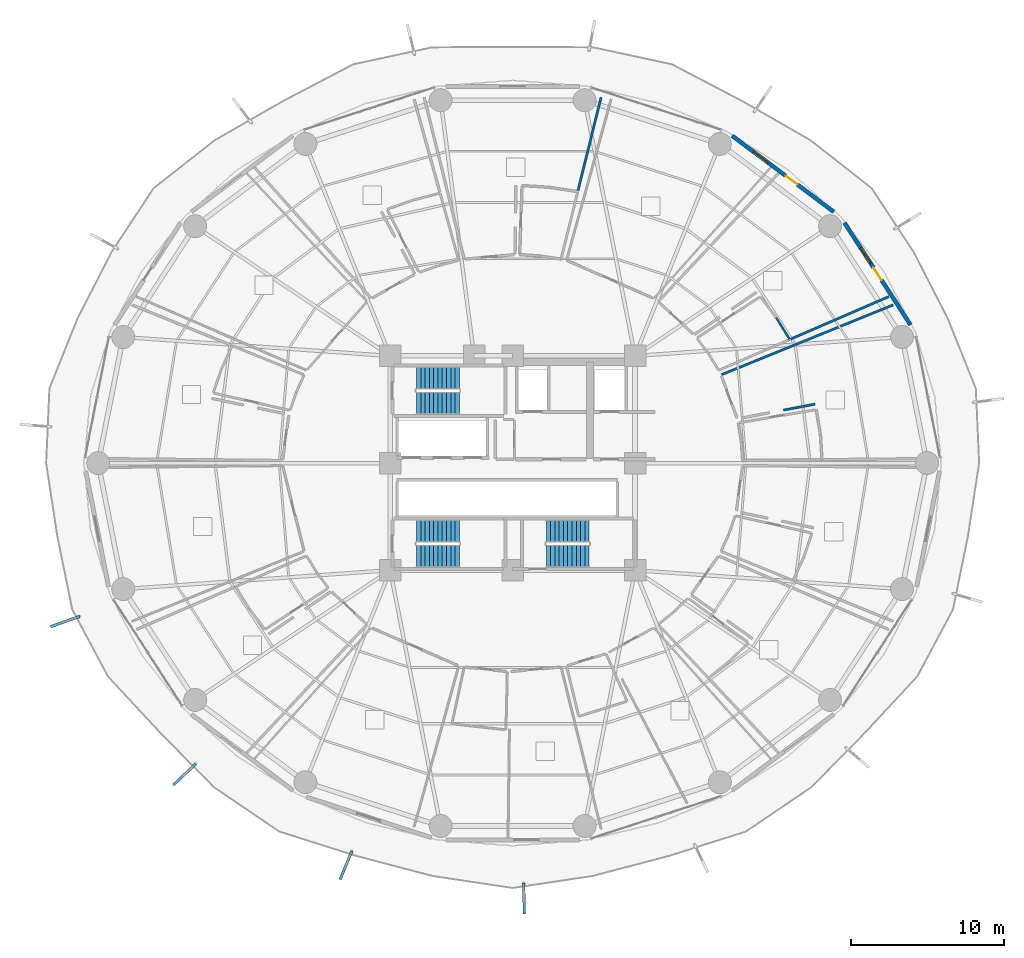
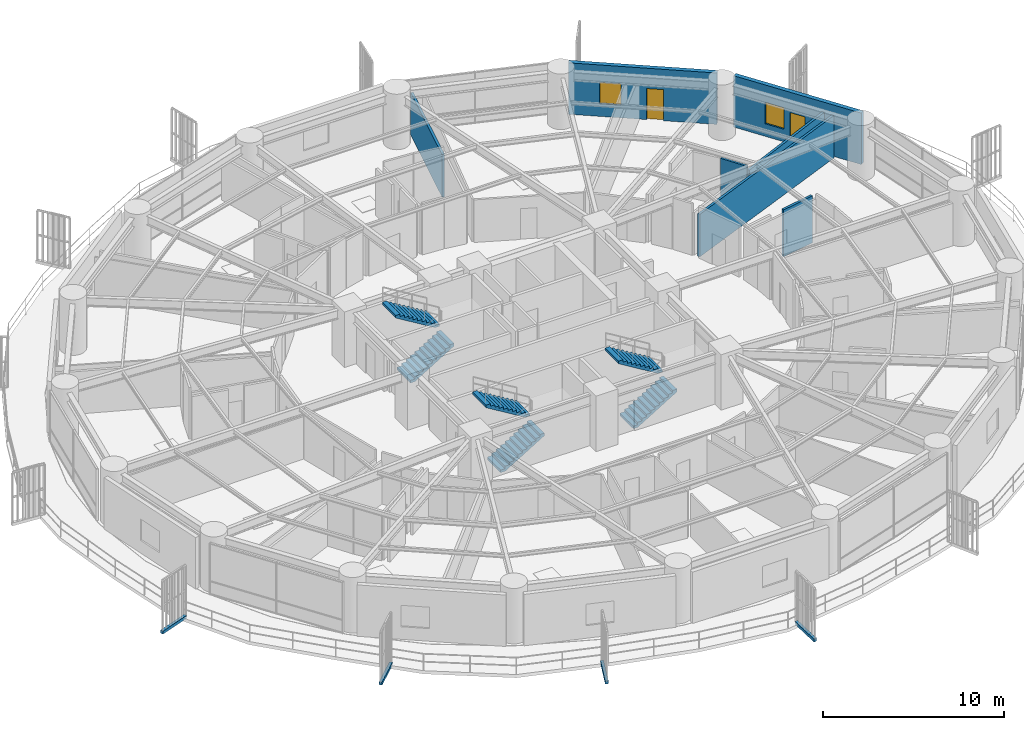
# One storey, part 28 of 34: 7 walls, 6 stair flights, 4 discrete accessories, 2 doors, 2 windows, 4 openings, 3 elements without a shape of their own.
"""IFC4 building model written with IfcOpenShell, lengths in metres."""

import ifcopenshell
import ifcopenshell.guid

model = None  # the IFC model being written
_history = None  # IfcOwnerHistory: only IFC2X3 demands one
_inside = {}  # id of a spatial element -> (the spatial element, [elements in it])
_under = {}  # id of a project, library or spatial element -> (it, [spatial elements below it])
_declared = {}  # id of a project -> (the project, [libraries it declares])
_typed = {}  # id of a type object -> (the type object, [elements of that type])
_made_of = {}  # id of a material, layer set ... -> (it, [elements and type objects made of it])


def new_model(schema):
    """Start an empty IFC model of exactly this schema.

    Asked for "IFC4X3", IfcOpenShell would pick the latest addendum, in which some entities
    have other attributes; the version numbers below select the first issue.
    IFC2X3 requires an IfcOwnerHistory on every rooted entity: one is made here for all.
    """
    global model, _history
    if schema == "IFC4X3":
        model = ifcopenshell.file(schema_version=(4, 3, 0, 0))
    else:
        model = ifcopenshell.file(schema=schema)
    _inside.clear()
    _under.clear()
    _declared.clear()
    _typed.clear()
    _made_of.clear()
    _history = None
    if model.schema == "IFC2X3":
        org = make("IfcOrganization", Name="unknown")
        user = make(
            "IfcPersonAndOrganization",
            ThePerson=make("IfcPerson", FamilyName="unknown"),
            TheOrganization=org,
        )
        app = make(
            "IfcApplication",
            ApplicationDeveloper=org,
            Version="unknown",
            ApplicationFullName="unknown",
            ApplicationIdentifier="unknown",
        )
        _history = make(
            "IfcOwnerHistory",
            OwningUser=user,
            OwningApplication=app,
            ChangeAction="ADDED",
            CreationDate=0,
        )
    return model


def make(cls, **values):
    """One entity of the class cls with the attributes given. An attribute that is None is left unset."""
    return model.create_entity(
        cls, **{name: value for name, value in values.items() if value is not None}
    )


def rooted(cls, **values):
    """An entity with a GlobalId (a new one), such as an element, a storey or a relation."""
    return make(cls, GlobalId=ifcopenshell.guid.new(), OwnerHistory=_history, **values)


def si_unit(unit_type, name, prefix=None):
    """IfcSIUnit, for example si_unit("LENGTHUNIT", "METRE", prefix="MILLI")."""
    return make("IfcSIUnit", UnitType=unit_type, Prefix=prefix, Name=name)


def assignment(units):
    """IfcUnitAssignment: the units of a project."""
    return None if units is None else make("IfcUnitAssignment", Units=units)


def point(xyz):
    """IfcCartesianPoint."""
    return None if xyz is None else make("IfcCartesianPoint", Coordinates=xyz)


def direction(xyz):
    """IfcDirection."""
    return None if xyz is None else make("IfcDirection", DirectionRatios=xyz)


def frame(location, z_axis=None, x_axis=None):
    """IfcAxis2Placement3D, a coordinate frame: its origin and axes. An axis left out is left unset."""
    return make(
        "IfcAxis2Placement3D",
        Location=point(location),
        Axis=direction(z_axis),
        RefDirection=direction(x_axis),
    )


def frame_2d(location, x_axis=None):
    """IfcAxis2Placement2D, a coordinate frame in the plane: its origin and x axis."""
    return make(
        "IfcAxis2Placement2D", Location=point(location), RefDirection=direction(x_axis)
    )


def origin():
    """The frame at (0, 0, 0) with its axes left unset."""
    return frame((0.0, 0.0, 0.0))


def origin_2d():
    """The frame at (0, 0) in the plane with its x axis left unset."""
    return frame_2d((0.0, 0.0))


def place(relative_to, where):
    """IfcLocalPlacement: puts the frame where relative to a parent placement (None: the world)."""
    return make(
        "IfcLocalPlacement", PlacementRelTo=relative_to, RelativePlacement=where
    )


def context(
    kind, dimensions, precision=None, world=None, true_north=None, identifier=None
):
    """IfcGeometricRepresentationContext, for example the 3D "Model" context."""
    return make(
        "IfcGeometricRepresentationContext",
        ContextIdentifier=identifier,
        ContextType=kind,
        CoordinateSpaceDimension=dimensions,
        Precision=precision,
        WorldCoordinateSystem=world,
        TrueNorth=true_north,
    )


def subcontext(parent, identifier, kind, view, scale=None):
    """IfcGeometricRepresentationSubContext, for example "Body" below "Model"."""
    return make(
        "IfcGeometricRepresentationSubContext",
        ContextIdentifier=identifier,
        ContextType=kind,
        ParentContext=parent,
        TargetScale=scale,
        TargetView=view,
    )


def project(units=None, contexts=None):
    """IfcProject with its units and contexts."""
    return rooted(
        "IfcProject",
        Name="project",
        RepresentationContexts=contexts,
        UnitsInContext=assignment(units),
    )


def spatial(cls, under=None, at=None, **own):
    """A site, building, storey or space (cls), placed at a placement, below another one or the project."""
    s = rooted(cls, ObjectPlacement=at, **own)
    if under is not None:
        _under.setdefault(under.id(), (under, []))[1].append(s)
    return s


def polyline(points):
    """IfcPolyline through the points."""
    return make("IfcPolyline", Points=[point(p) for p in points])


def profile(cls, at=None, kind="AREA", **sizes):
    """A parametric profile (cls). Its sizes go by their IFC names, for example OverallWidth=200.0."""
    return make(cls, ProfileType=kind, Position=at, **sizes)


def rectangle(**sizes):
    """IfcRectangleProfileDef."""
    return profile("IfcRectangleProfileDef", **sizes)


def outline(outer, holes=None, kind="AREA"):
    """IfcArbitraryClosedProfileDef: a profile drawn as a closed curve; with holes, ...WithVoids."""
    if holes is None:
        return make("IfcArbitraryClosedProfileDef", ProfileType=kind, OuterCurve=outer)
    return make(
        "IfcArbitraryProfileDefWithVoids",
        ProfileType=kind,
        OuterCurve=outer,
        InnerCurves=holes,
    )


def extrude(swept, where, along, depth):
    """IfcExtrudedAreaSolid: the profile swept, set in the frame where, extruded along a direction by depth."""
    return make(
        "IfcExtrudedAreaSolid",
        SweptArea=swept,
        Position=where,
        ExtrudedDirection=direction(along),
        Depth=depth,
    )


def shape(context_of_items, identifier, shape_type, items):
    """IfcShapeRepresentation: the items that make up one representation, for example the "Body"."""
    return make(
        "IfcShapeRepresentation",
        ContextOfItems=context_of_items,
        RepresentationIdentifier=identifier,
        RepresentationType=shape_type,
        Items=items,
    )


def source(mapping_origin, context_of_items, identifier, shape_type, items):
    """IfcRepresentationMap: a shape defined once, which mapped items show again and again."""
    return make(
        "IfcRepresentationMap",
        MappingOrigin=mapping_origin,
        MappedRepresentation=shape(context_of_items, identifier, shape_type, items),
    )


def transform(
    local_origin,
    x_axis=None,
    y_axis=None,
    z_axis=None,
    scale=None,
    scale2=None,
    scale3=None,
    uniform=True,
):
    """IfcCartesianTransformationOperator3D, or its non-uniform kind. x_axis, y_axis, z_axis: its Axis1, 2, 3."""
    if uniform:
        return make(
            "IfcCartesianTransformationOperator3D",
            Axis1=direction(x_axis),
            Axis2=direction(y_axis),
            LocalOrigin=point(local_origin),
            Scale=scale,
            Axis3=direction(z_axis),
        )
    return make(
        "IfcCartesianTransformationOperator3DnonUniform",
        Axis1=direction(x_axis),
        Axis2=direction(y_axis),
        LocalOrigin=point(local_origin),
        Scale=scale,
        Axis3=direction(z_axis),
        Scale2=scale2,
        Scale3=scale3,
    )


def mapped(mapping_source, mapping_target):
    """IfcMappedItem: shows the shape of a source again, moved by a transform."""
    return make(
        "IfcMappedItem", MappingSource=mapping_source, MappingTarget=mapping_target
    )


def material(Name=None, Category=None):
    """IfcMaterial."""
    return make("IfcMaterial", Name=Name, Category=Category)


def layer(
    of_material, thickness, ventilated=None, Name=None, Category=None, Priority=None
):
    """IfcMaterialLayer: one layer of a wall or slab, of a material (None: an air gap)."""
    return make(
        "IfcMaterialLayer",
        Material=of_material,
        LayerThickness=thickness,
        IsVentilated=ventilated,
        Name=Name,
        Category=Category,
        Priority=Priority,
    )


def layer_set(layers, Name=None):
    """IfcMaterialLayerSet."""
    return make("IfcMaterialLayerSet", MaterialLayers=layers, LayerSetName=Name)


def made_of(thing, what):
    """Note that an element or type object is made of a material, layer set ...; save() writes the relation."""
    if what is not None:
        _made_of.setdefault(what.id(), (what, []))[1].append(thing)
    return thing


def type_object(cls, material=None, **own):
    """A type object (cls), such as IfcWallType, which elements share."""
    return made_of(rooted(cls, **own), material)


def element(
    cls,
    number,
    at=None,
    inside=None,
    cuts=None,
    type_object=None,
    material=None,
    context=None,
    identifier="Body",
    shape_type=None,
    held_by="IfcProductDefinitionShape",
    body=None,
    shapes=None,
    **own,
):
    """One element of the class cls, such as IfcWall. Its Tag is "e" and its number.

    at: its placement. inside: the storey or other place that contains it. cuts: it is an
    opening in that element (IfcRelVoidsElement). A single representation is given by context,
    identifier, shape_type and body (its items); several are given by shapes. held_by: the class
    of the entity that holds the representations. save() writes the other relations.
    """
    e = rooted(cls, Tag="e%d" % number, ObjectPlacement=at, **own)
    if body is not None:
        shapes = [shape(context, identifier, shape_type, body)]
    if shapes is not None:
        e.Representation = make(held_by, Representations=shapes)
    if inside is not None:
        _inside.setdefault(inside.id(), (inside, []))[1].append(e)
    if cuts is not None:
        rooted(
            "IfcRelVoidsElement", RelatingBuildingElement=cuts, RelatedOpeningElement=e
        )
    if type_object is not None:
        _typed.setdefault(type_object.id(), (type_object, []))[1].append(e)
    return made_of(e, material)


def fill(opening, filler):
    """IfcRelFillsElement: the door or window that sits in an opening."""
    return rooted(
        "IfcRelFillsElement",
        RelatingOpeningElement=opening,
        RelatedBuildingElement=filler,
    )


def aggregate(whole, parts):
    """IfcRelAggregates: a whole, such as a stair, and the parts it consists of."""
    return rooted("IfcRelAggregates", RelatingObject=whole, RelatedObjects=parts)


def save(model, path):
    """Write the relations noted so far, then the file.

    IfcRelAggregates (storeys below a building ...), IfcRelContainedInSpatialStructure (elements
    in a storey), IfcRelDefinesByType, IfcRelAssociatesMaterial and IfcRelDeclares: one each for
    every whole, place, type object, material and project.
    """
    for whole, parts in _under.values():
        aggregate(whole, parts)
    for where, things in _inside.values():
        rooted(
            "IfcRelContainedInSpatialStructure",
            RelatedElements=things,
            RelatingStructure=where,
        )
    for kind, things in _typed.values():
        rooted("IfcRelDefinesByType", RelatedObjects=things, RelatingType=kind)
    for what, things in _made_of.values():
        rooted("IfcRelAssociatesMaterial", RelatedObjects=things, RelatingMaterial=what)
    for by, libraries in _declared.values():
        rooted("IfcRelDeclares", RelatingContext=by, RelatedDefinitions=libraries)
    model.write(path)


model = new_model("IFC4")

# Units and contexts
model_context = context("Model", 3, precision=1e-05, world=origin(), true_north=direction((0.0, 1.0)))
body_context = subcontext(model_context, "Body", "Model", "MODEL_VIEW")
ifc_project = project(units=[si_unit("LENGTHUNIT", "METRE"), si_unit("AREAUNIT", "SQUARE_METRE"), si_unit("VOLUMEUNIT", "CUBIC_METRE"), si_unit("PLANEANGLEUNIT", "RADIAN"), si_unit("MASSUNIT", "GRAM", prefix="KILO")], contexts=[model_context])

# Site, building, storey
site_placement = place(None, origin())
site = spatial("IfcSite", under=ifc_project, at=site_placement, CompositionType="ELEMENT")
building_placement = place(site_placement, origin())
building = spatial("IfcBuilding", under=site, at=building_placement, Name="Kelanora Arch Commons", CompositionType="ELEMENT")
storey_placement = place(building_placement, frame((0.0, 0.0, 30.0)))
storey = spatial("IfcBuildingStorey", under=building, at=storey_placement, Name="L07", CompositionType="ELEMENT", Elevation=30.0)

# Walls
ifc_material_1 = material(Name="Autoclaved aerated concrete blockwork with fire plaster", Category="masonry")
ifc_layer_1 = layer(ifc_material_1, 0.14990234375)
ifc_layer_set_1 = layer_set([ifc_layer_1], Name="Autoclaved aerated concrete blockwork with fire plaster")
wall_type_1 = type_object("IfcWallType", Name="W-COMP-150", PredefinedType="PARTITIONING", material=ifc_layer_set_1)
wall_1_placement = place(storey_placement, frame((87.656982421875, 63.778076171875, 0.0), z_axis=(0.0, 0.0, 1.0), x_axis=(0.926333713065, 0.376703931542, 0.0)))
element("IfcWall", 1, at=wall_1_placement, inside=storey, type_object=wall_type_1, Name="Co-Living Studio L07-01 Enclosure Partition 2", PredefinedType="PARTITIONING", context=body_context, shape_type="SweptSolid", body=[
    extrude(rectangle(XDim=12.099365234375, YDim=0.14990234375, at=frame_2d((6.0498046875, 0.0))), origin(), (0.0, 0.0, 1.0), 2.875),
])
wall_2_placement = place(storey_placement, frame((93.7587890625, 61.8505859375, 0.0), z_axis=(0.0, 0.0, 1.0), x_axis=(-0.98260291219, -0.185718919219, 0.0)))
element("IfcWall", 2, at=wall_2_placement, inside=storey, type_object=wall_type_1, Name="Co-Living Studio L07-01 Enclosure Partition 7", PredefinedType="PARTITIONING", context=body_context, shape_type="SweptSolid", body=[
    extrude(rectangle(XDim=2.10205078125, YDim=0.14990234375, at=frame_2d((1.051025390625, 0.0))), origin(), (0.0, 0.0, 1.0), 3.175048828125),
])
wall_3_placement = place(storey_placement, frame((98.57421875, 68.8740234375, 0.0), z_axis=(0.0, 0.0, 1.0), x_axis=(-0.917736225937, -0.397190407239, 0.0)))
element("IfcWall", 3, at=wall_3_placement, inside=storey, type_object=wall_type_1, Name="Co-Living Studio L07-02 Enclosure Partition 5", PredefinedType="PARTITIONING", context=body_context, shape_type="SweptSolid", body=[
    extrude(rectangle(XDim=6.966552734375, YDim=0.14990234375, at=frame_2d((3.4833984375, 0.0))), origin(), (0.0, 0.0, 1.0), 2.875),
])
wall_4_placement = place(storey_placement, frame((79.77734375, 81.89208984375, 0.0), z_axis=(0.0, 0.0, 1.0), x_axis=(-0.240000910349, -0.970772662899, 0.0)))
element("IfcWall", 4, at=wall_4_placement, inside=storey, type_object=wall_type_1, Name="Co-Living Studio L07-04 Enclosure Partition 5", PredefinedType="PARTITIONING", context=body_context, shape_type="SweptSolid", body=[
    extrude(rectangle(XDim=6.257080078125, YDim=0.14990234375, at=frame_2d((3.12841796875, 0.0))), origin(), (0.0, 0.0, 1.0), 2.875),
])

# Wall, openings, door, window
ifc_material_2 = material(Name="Precast concrete C40/50 with terracotta rainscreen", Category="masonry")
ifc_layer_2 = layer(ifc_material_2, 0.260009765625)
ifc_layer_set_2 = layer_set([ifc_layer_2], Name="Precast concrete C40/50 with terracotta rainscreen")
wall_type_2 = type_object("IfcWallType", Name="W-EXT-TC", PredefinedType="SOLIDWALL", material=ifc_layer_set_2)
wall_5_placement = place(storey_placement, frame((99.999267578125, 67.033203125, 0.0), z_axis=(0.0, 0.0, 1.0), x_axis=(-0.543005114258, 0.839729388488, 0.0)))
wall_5 = element("IfcWall", 5, at=wall_5_placement, inside=storey, type_object=wall_type_2, Name="Terracotta Exterior Wall L07-B01", PredefinedType="SOLIDWALL", context=body_context, shape_type="SweptSolid", body=[
    extrude(rectangle(XDim=7.9375, YDim=0.260009765625, at=frame_2d((3.96875, 0.0))), origin(), (0.0, 0.0, 1.0), 3.47509765625),
])
opening_1_placement = place(wall_5_placement, frame((3.493896484375, 0.0, 0.0)))
opening_1 = element("IfcOpeningElement", 6, at=opening_1_placement, cuts=wall_5, Name="Opening DB-01", PredefinedType="OPENING", context=body_context, shape_type="SweptSolid", body=[
    extrude(rectangle(XDim=0.949951171875, YDim=2.10009765625, at=frame_2d((0.47509765625, 1.050048828125))), frame((0.0, 0.14013671875, 0.0), z_axis=(0.0, -1.0, 0.0), x_axis=(1.0, 0.0, 0.0)), (0.0, 0.0, 1.0), 0.280029296875),
])
opening_2_placement = place(wall_5_placement, frame((4.7939453125, 0.0, 0.85009765625)))
opening_2 = element("IfcOpeningElement", 7, at=opening_2_placement, cuts=wall_5, Name="Opening WN-02", PredefinedType="OPENING", context=body_context, shape_type="SweptSolid", body=[
    extrude(rectangle(XDim=1.199951171875, YDim=1.449951171875, at=frame_2d((0.60009765625, 0.72509765625))), frame((0.0, 0.14013671875, 0.0), z_axis=(0.0, -1.0, 0.0), x_axis=(1.0, 0.0, 0.0)), (0.0, 0.0, 1.0), 0.280029296875),
])
ifc_material_3 = material(Name="Terracotta-aluminium thermally broken glazed balcony door", Category="masonry")
door_type = type_object("IfcDoorType", Name="D-BAL-10", OperationType="NOTDEFINED", PredefinedType="DOOR", material=ifc_material_3)
door_1_placement = place(opening_1_placement, frame((0.949951171875, 0.0, 0.0), z_axis=(0.0, 0.0, 1.0), x_axis=(-1.0, 0.0, 0.0)))
door_1 = element("IfcDoor", 8, at=door_1_placement, inside=storey, type_object=door_type, Name="Wave Balcony Door L07-B01", OperationType="SINGLE_SWING_LEFT", OverallHeight=2.10009765625, OverallWidth=0.949951171875, PredefinedType="DOOR", context=body_context, shape_type="SweptSolid", body=[
    extrude(rectangle(XDim=0.949951171875, YDim=2.10009765625, at=frame_2d((0.47509765625, 1.050048828125))), frame((0.0, 0.02490234375, 0.0), z_axis=(0.0, -1.0, 0.0), x_axis=(1.0, 0.0, 0.0)), (0.0, 0.0, 1.0), 0.050048828125),
])
fill(opening_1, door_1)
ifc_material_4 = material(Name="Terracotta-anodised aluminium frame with operable awning sash", Category="masonry")
window_type = type_object("IfcWindowType", Name="WIN-CL-12", PartitioningType="SINGLE_PANEL", PredefinedType="WINDOW", material=ifc_material_4)
window_1_placement = place(opening_2_placement, origin())
window_1 = element("IfcWindow", 9, at=window_1_placement, inside=storey, type_object=window_type, Name="Co-Living Operable Window L07-B01", OverallHeight=1.449951171875, OverallWidth=1.199951171875, PartitioningType="SINGLE_PANEL", PredefinedType="WINDOW", context=body_context, shape_type="SweptSolid", body=[
    extrude(rectangle(XDim=1.199951171875, YDim=1.449951171875, at=frame_2d((0.60009765625, 0.72509765625))), frame((0.0, 0.030029296875, 0.0), z_axis=(0.0, -1.0, 0.0), x_axis=(1.0, 0.0, 0.0)), (0.0, 0.0, 1.0), 0.06005859375),
])
fill(opening_2, window_1)

wall_6_placement = place(storey_placement, frame((94.98388671875, 74.418212890625, 0.0), z_axis=(0.0, 0.0, 1.0), x_axis=(-0.80030733173, 0.599590005569, 0.0)))
wall_6 = element("IfcWall", 10, at=wall_6_placement, inside=storey, type_object=wall_type_2, Name="Terracotta Exterior Wall L07-B02", PredefinedType="SOLIDWALL", context=body_context, shape_type="SweptSolid", body=[
    extrude(rectangle(XDim=8.29052734375, YDim=0.260009765625, at=frame_2d((4.145263671875, 0.0))), origin(), (0.0, 0.0, 1.0), 3.47509765625),
])
opening_3_placement = place(wall_6_placement, frame((2.969970703125, 0.0, 0.0)))
opening_3 = element("IfcOpeningElement", 11, at=opening_3_placement, cuts=wall_6, Name="Opening DB-01", PredefinedType="OPENING", context=body_context, shape_type="SweptSolid", body=[
    extrude(rectangle(XDim=0.949951171875, YDim=2.10009765625, at=frame_2d((0.47509765625, 1.050048828125))), frame((0.0, 0.14013671875, 0.0), z_axis=(0.0, -1.0, 0.0), x_axis=(1.0, 0.0, 0.0)), (0.0, 0.0, 1.0), 0.280029296875),
])
opening_4_placement = place(wall_6_placement, frame((5.35009765625, 0.0, 0.85009765625)))
opening_4 = element("IfcOpeningElement", 12, at=opening_4_placement, cuts=wall_6, Name="Opening WN-02", PredefinedType="OPENING", context=body_context, shape_type="SweptSolid", body=[
    extrude(rectangle(XDim=1.199951171875, YDim=1.449951171875, at=frame_2d((0.60009765625, 0.72509765625))), frame((0.0, 0.14013671875, 0.0), z_axis=(0.0, -1.0, 0.0), x_axis=(1.0, 0.0, 0.0)), (0.0, 0.0, 1.0), 0.280029296875),
])
door_2_placement = place(opening_3_placement, frame((0.949951171875, 0.0, 0.0), z_axis=(0.0, 0.0, 1.0), x_axis=(-1.0, 0.0, 0.0)))
door_2 = element("IfcDoor", 13, at=door_2_placement, inside=storey, type_object=door_type, Name="Wave Balcony Door L07-B02", OperationType="SINGLE_SWING_RIGHT", OverallHeight=2.10009765625, OverallWidth=0.949951171875, PredefinedType="DOOR", context=body_context, shape_type="SweptSolid", body=[
    extrude(rectangle(XDim=0.949951171875, YDim=2.10009765625, at=frame_2d((0.47509765625, 1.050048828125))), frame((0.0, 0.02490234375, 0.0), z_axis=(0.0, -1.0, 0.0), x_axis=(1.0, 0.0, 0.0)), (0.0, 0.0, 1.0), 0.050048828125),
])
fill(opening_3, door_2)
window_2_placement = place(opening_4_placement, origin())
window_2 = element("IfcWindow", 14, at=window_2_placement, inside=storey, type_object=window_type, Name="Co-Living Operable Window L07-B02", OverallHeight=1.449951171875, OverallWidth=1.199951171875, PartitioningType="SINGLE_PANEL", PredefinedType="WINDOW", context=body_context, shape_type="SweptSolid", body=[
    extrude(rectangle(XDim=1.199951171875, YDim=1.449951171875, at=frame_2d((0.60009765625, 0.72509765625))), frame((0.0, 0.030029296875, 0.0), z_axis=(0.0, -1.0, 0.0), x_axis=(1.0, 0.0, 0.0)), (0.0, 0.0, 1.0), 0.06005859375),
])
fill(opening_4, window_2)

# Wall
ifc_material_5 = material(Name="Moisture-resistant fire-rated cement-board plumbing wall")
ifc_layer_3 = layer(ifc_material_5, 0.1298828125)
ifc_layer_set_3 = layer_set([ifc_layer_3], Name="Moisture-resistant fire-rated cement-board plumbing wall")
wall_type_3 = type_object("IfcWallType", Name="W-WET-120", PredefinedType="PLUMBINGWALL", material=ifc_layer_set_3)
wall_7_placement = place(storey_placement, frame((91.2294921875, 67.4951171875, 0.0), z_axis=(0.0, 0.0, 1.0), x_axis=(0.525540089642, -0.850768837099, 0.0)))
element("IfcWall", 15, at=wall_7_placement, inside=storey, type_object=wall_type_3, Name="En-Suite Shower WC L07-02 Enclosure Partition 5", PredefinedType="PLUMBINGWALL", context=body_context, shape_type="SweptSolid", body=[
    extrude(rectangle(XDim=1.6513671875, YDim=0.1298828125, at=frame_2d((0.82568359375, 0.0))), origin(), (0.0, 0.0, 1.0), 3.175048828125),
])

# Stair, stair flights
ifc_material_6 = material(Name="Concrete C40/50", Category="concrete")
stair_type = type_object("IfcStairType", Name="STR-DL-375", PredefinedType="HALF_TURN_STAIR", material=ifc_material_6)
stair_1_placement = place(storey_placement, origin())
stair_1 = element("IfcStair", 16, at=stair_1_placement, inside=storey, type_object=stair_type, Name="L07 ST-T1", PredefinedType="HALF_TURN_STAIR")
stair_flight_type = type_object("IfcStairFlightType", Name="FLT-DL-375", PredefinedType="STRAIGHT", material=ifc_material_6)
stair_flight_1_placement = place(storey_placement, frame((67.719970703125, 61.919921875, 0.0), z_axis=(0.0, 0.0, 1.0), x_axis=(1.0, 0.0, 0.0)))
stair_flight_1 = element("IfcStairFlight", 17, at=stair_flight_1_placement, type_object=stair_flight_type, Name="ST-T1 flight 1", NumberOfRisers=11, NumberOfTreads=10, PredefinedType="STRAIGHT", RiserHeight=0.170454545, TreadLength=0.28, context=body_context, shape_type="SweptSolid", body=[
    extrude(outline(polyline([(0.0, 0.0), (0.0, 0.17041015625), (0.280029296875, 0.17041015625), (0.280029296875, 0.3408203125), (0.56005859375, 0.3408203125), (0.56005859375, 0.511474609375), (0.840087890625, 0.511474609375), (0.840087890625, 0.681884765625), (1.1201171875, 0.681884765625), (1.1201171875, 0.852294921875), (1.39990234375, 0.852294921875), (1.39990234375, 1.022705078125), (1.679931640625, 1.022705078125), (1.679931640625, 1.193115234375), (1.9599609375, 1.193115234375), (1.9599609375, 1.363525390625), (2.239990234375, 1.363525390625), (2.239990234375, 1.5341796875), (2.52001953125, 1.5341796875), (2.52001953125, 1.70458984375), (2.800048828125, 1.70458984375), (2.800048828125, 1.875), (2.800048828125, 1.529052734375), (0.288330078125, 0.0), (0.0, 0.0)])), frame((0.0, 0.739990234375, 0.0), z_axis=(0.0, -1.0, 0.0), x_axis=(1.0, 0.0, 0.0)), (0.0, 0.0, 1.0), 1.47998046875),
])
stair_flight_2_placement = place(storey_placement, frame((70.52001953125, 63.550048828125, 1.875), z_axis=(0.0, 0.0, 1.0), x_axis=(-1.0, 0.0, 0.0)))
stair_flight_2 = element("IfcStairFlight", 18, at=stair_flight_2_placement, type_object=stair_flight_type, Name="ST-T1 flight 2", NumberOfRisers=11, NumberOfTreads=10, PredefinedType="STRAIGHT", RiserHeight=0.170454545, TreadLength=0.28, context=body_context, shape_type="SweptSolid", body=[
    extrude(outline(polyline([(0.0, 0.0), (0.0, 0.17041015625), (0.280029296875, 0.17041015625), (0.280029296875, 0.3408203125), (0.56005859375, 0.3408203125), (0.56005859375, 0.511474609375), (0.840087890625, 0.511474609375), (0.840087890625, 0.681884765625), (1.1201171875, 0.681884765625), (1.1201171875, 0.852294921875), (1.39990234375, 0.852294921875), (1.39990234375, 1.022705078125), (1.679931640625, 1.022705078125), (1.679931640625, 1.193115234375), (1.9599609375, 1.193115234375), (1.9599609375, 1.363525390625), (2.239990234375, 1.363525390625), (2.239990234375, 1.5341796875), (2.52001953125, 1.5341796875), (2.52001953125, 1.70458984375), (2.800048828125, 1.70458984375), (2.800048828125, 1.875), (2.800048828125, 1.529052734375), (0.288330078125, 0.0), (0.0, 0.0)])), frame((0.0, 0.739990234375, 0.0), z_axis=(0.0, -1.0, 0.0), x_axis=(1.0, 0.0, 0.0)), (0.0, 0.0, 1.0), 1.47998046875),
])
aggregate(stair_1, [stair_flight_1, stair_flight_2])

stair_2_placement = place(storey_placement, origin())
stair_2 = element("IfcStair", 19, at=stair_2_placement, inside=storey, type_object=stair_type, Name="L07 ST-T2", PredefinedType="HALF_TURN_STAIR")
stair_flight_3_placement = place(storey_placement, frame((76.199951171875, 51.919921875, 0.0), z_axis=(0.0, 0.0, 1.0), x_axis=(1.0, 0.0, 0.0)))
stair_flight_3 = element("IfcStairFlight", 20, at=stair_flight_3_placement, type_object=stair_flight_type, Name="ST-T2 flight 1", NumberOfRisers=11, NumberOfTreads=10, PredefinedType="STRAIGHT", RiserHeight=0.170454545, TreadLength=0.28, context=body_context, shape_type="SweptSolid", body=[
    extrude(outline(polyline([(0.0, 0.0), (0.0, 0.17041015625), (0.280029296875, 0.17041015625), (0.280029296875, 0.3408203125), (0.56005859375, 0.3408203125), (0.56005859375, 0.511474609375), (0.840087890625, 0.511474609375), (0.840087890625, 0.681884765625), (1.1201171875, 0.681884765625), (1.1201171875, 0.852294921875), (1.39990234375, 0.852294921875), (1.39990234375, 1.022705078125), (1.679931640625, 1.022705078125), (1.679931640625, 1.193115234375), (1.9599609375, 1.193115234375), (1.9599609375, 1.363525390625), (2.239990234375, 1.363525390625), (2.239990234375, 1.5341796875), (2.52001953125, 1.5341796875), (2.52001953125, 1.70458984375), (2.800048828125, 1.70458984375), (2.800048828125, 1.875), (2.800048828125, 1.529052734375), (0.288330078125, 0.0), (0.0, 0.0)])), frame((0.0, 0.739990234375, 0.0), z_axis=(0.0, -1.0, 0.0), x_axis=(1.0, 0.0, 0.0)), (0.0, 0.0, 1.0), 1.47998046875),
])
stair_flight_4_placement = place(storey_placement, frame((79.0, 53.550048828125, 1.875), z_axis=(0.0, 0.0, 1.0), x_axis=(-1.0, 0.0, 0.0)))
stair_flight_4 = element("IfcStairFlight", 21, at=stair_flight_4_placement, type_object=stair_flight_type, Name="ST-T2 flight 2", NumberOfRisers=11, NumberOfTreads=10, PredefinedType="STRAIGHT", RiserHeight=0.170454545, TreadLength=0.28, context=body_context, shape_type="SweptSolid", body=[
    extrude(outline(polyline([(0.0, 0.0), (0.0, 0.17041015625), (0.280029296875, 0.17041015625), (0.280029296875, 0.3408203125), (0.56005859375, 0.3408203125), (0.56005859375, 0.511474609375), (0.840087890625, 0.511474609375), (0.840087890625, 0.681884765625), (1.1201171875, 0.681884765625), (1.1201171875, 0.852294921875), (1.39990234375, 0.852294921875), (1.39990234375, 1.022705078125), (1.679931640625, 1.022705078125), (1.679931640625, 1.193115234375), (1.9599609375, 1.193115234375), (1.9599609375, 1.363525390625), (2.239990234375, 1.363525390625), (2.239990234375, 1.5341796875), (2.52001953125, 1.5341796875), (2.52001953125, 1.70458984375), (2.800048828125, 1.70458984375), (2.800048828125, 1.875), (2.800048828125, 1.529052734375), (0.288330078125, 0.0), (0.0, 0.0)])), frame((0.0, 0.739990234375, 0.0), z_axis=(0.0, -1.0, 0.0), x_axis=(1.0, 0.0, 0.0)), (0.0, 0.0, 1.0), 1.47998046875),
])
aggregate(stair_2, [stair_flight_3, stair_flight_4])

stair_3_placement = place(storey_placement, origin())
stair_3 = element("IfcStair", 22, at=stair_3_placement, inside=storey, type_object=stair_type, Name="L07 ST-T3", PredefinedType="HALF_TURN_STAIR")
stair_flight_5_placement = place(storey_placement, frame((67.719970703125, 51.919921875, 0.0), z_axis=(0.0, 0.0, 1.0), x_axis=(1.0, 0.0, 0.0)))
stair_flight_5 = element("IfcStairFlight", 23, at=stair_flight_5_placement, type_object=stair_flight_type, Name="ST-T3 flight 1", NumberOfRisers=11, NumberOfTreads=10, PredefinedType="STRAIGHT", RiserHeight=0.170454545, TreadLength=0.28, context=body_context, shape_type="SweptSolid", body=[
    extrude(outline(polyline([(0.0, 0.0), (0.0, 0.17041015625), (0.280029296875, 0.17041015625), (0.280029296875, 0.3408203125), (0.56005859375, 0.3408203125), (0.56005859375, 0.511474609375), (0.840087890625, 0.511474609375), (0.840087890625, 0.681884765625), (1.1201171875, 0.681884765625), (1.1201171875, 0.852294921875), (1.39990234375, 0.852294921875), (1.39990234375, 1.022705078125), (1.679931640625, 1.022705078125), (1.679931640625, 1.193115234375), (1.9599609375, 1.193115234375), (1.9599609375, 1.363525390625), (2.239990234375, 1.363525390625), (2.239990234375, 1.5341796875), (2.52001953125, 1.5341796875), (2.52001953125, 1.70458984375), (2.800048828125, 1.70458984375), (2.800048828125, 1.875), (2.800048828125, 1.529052734375), (0.288330078125, 0.0), (0.0, 0.0)])), frame((0.0, 0.739990234375, 0.0), z_axis=(0.0, -1.0, 0.0), x_axis=(1.0, 0.0, 0.0)), (0.0, 0.0, 1.0), 1.47998046875),
])
stair_flight_6_placement = place(storey_placement, frame((70.52001953125, 53.550048828125, 1.875), z_axis=(0.0, 0.0, 1.0), x_axis=(-1.0, 0.0, 0.0)))
stair_flight_6 = element("IfcStairFlight", 24, at=stair_flight_6_placement, type_object=stair_flight_type, Name="ST-T3 flight 2", NumberOfRisers=11, NumberOfTreads=10, PredefinedType="STRAIGHT", RiserHeight=0.170454545, TreadLength=0.28, context=body_context, shape_type="SweptSolid", body=[
    extrude(outline(polyline([(0.0, 0.0), (0.0, 0.17041015625), (0.280029296875, 0.17041015625), (0.280029296875, 0.3408203125), (0.56005859375, 0.3408203125), (0.56005859375, 0.511474609375), (0.840087890625, 0.511474609375), (0.840087890625, 0.681884765625), (1.1201171875, 0.681884765625), (1.1201171875, 0.852294921875), (1.39990234375, 0.852294921875), (1.39990234375, 1.022705078125), (1.679931640625, 1.022705078125), (1.679931640625, 1.193115234375), (1.9599609375, 1.193115234375), (1.9599609375, 1.363525390625), (2.239990234375, 1.363525390625), (2.239990234375, 1.5341796875), (2.52001953125, 1.5341796875), (2.52001953125, 1.70458984375), (2.800048828125, 1.70458984375), (2.800048828125, 1.875), (2.800048828125, 1.529052734375), (0.288330078125, 0.0), (0.0, 0.0)])), frame((0.0, 0.739990234375, 0.0), z_axis=(0.0, -1.0, 0.0), x_axis=(1.0, 0.0, 0.0)), (0.0, 0.0, 1.0), 1.47998046875),
])
aggregate(stair_3, [stair_flight_5, stair_flight_6])

# Discrete accessories
ifc_material_7 = material(Name="Stainless steel 316 marine fin bracket", Category="steel")
discrete_accessory_type = type_object("IfcDiscreteAccessoryType", Name="ACC-FIN-BRK", PredefinedType="BRACKET", material=ifc_material_7)
shared_shape = source(origin(), body_context, "Body", "SweptSolid", [
    extrude(rectangle(XDim=2.014892578125, YDim=0.179931640625, at=origin_2d()), origin(), (0.0, 0.0, 1.0), 0.199951171875),
])
for number, where, z_axis, x_axis, name in (
    (25, (44.76220703125, 47.64697265625, -0.16015625), (0.0, 0.0, 1.0), (-0.942641491092, -0.333806859234, 0.0), "Sweeping Fin Cantilever Spine Bracket L07-08"),
    (26, (52.55859375, 37.653564453125, -0.16015625), (0.0, 0.0, 1.0), (-0.725374371012, -0.688354575694, 0.0), "Sweeping Fin Cantilever Spine Bracket L07-09"),
    (27, (63.113037109375, 31.718017578125, -0.16015625), (0.0, 0.0, 1.0), (-0.382683432365, -0.923879532511, 0.0), "Sweeping Fin Cantilever Spine Bracket L07-10"),
    (28, (74.744384765625, 29.556396484375, -0.16015625), (0.0, 0.0, 1.0), (0.026176948308, -0.999657324976, 0.0), "Sweeping Fin Cantilever Spine Bracket L07-11"),
):
    element("IfcDiscreteAccessory", number, at=place(storey_placement, frame(where, z_axis=z_axis, x_axis=x_axis)), inside=storey, type_object=discrete_accessory_type, Name=name, PredefinedType="BRACKET", context=body_context, shape_type="MappedRepresentation", body=[
        mapped(shared_shape, transform((0.0, 0.0, 0.0), scale=1.0)),
    ])

save(model, "model.ifc")
